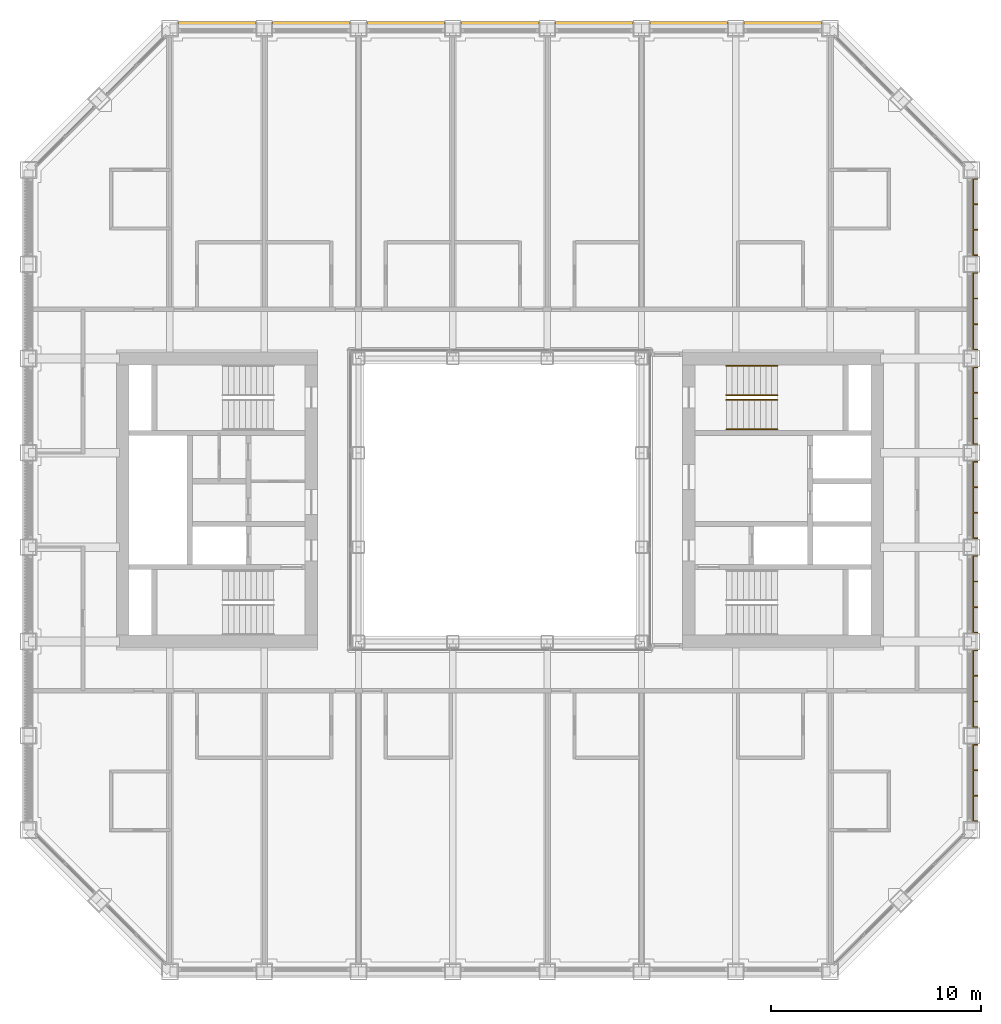
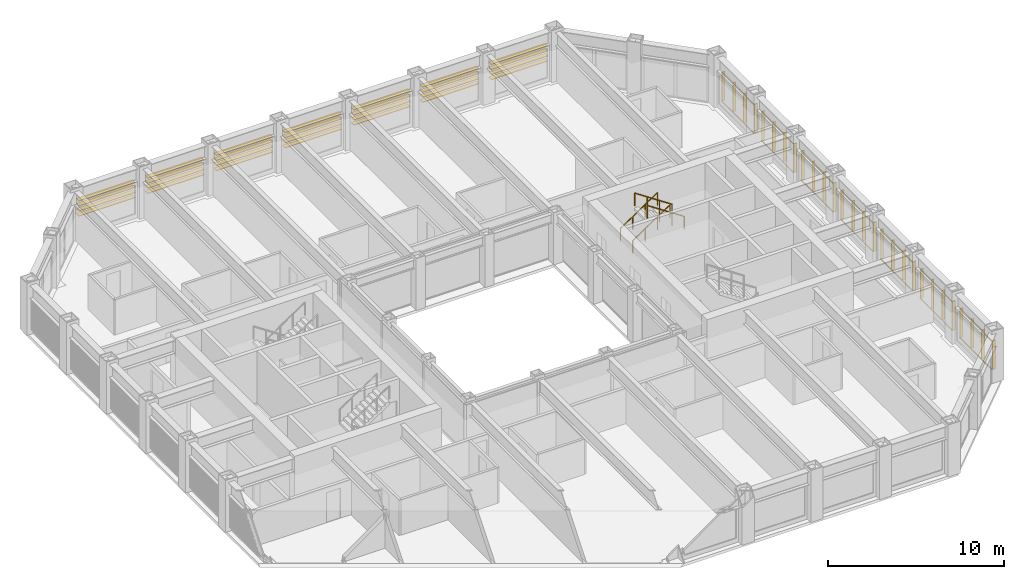
# One storey, part 17 of 17: 4 railings, 2 shading devices.
"""IFC4 building model written with IfcOpenShell, lengths in metres."""

from ifc_helpers import new_model, si_unit, direction, frame, origin, origin_2d, place, context, subcontext, project, spatial, rectangle, circle, extrude, material, type_object, element, save


model = new_model("IFC4")

# Units and contexts
model_context = context("Model", 3, precision=1e-05, world=origin(), true_north=direction((0.0, 1.0)))
body_context = subcontext(model_context, "Body", "Model", "MODEL_VIEW")
ifc_project = project(units=[si_unit("LENGTHUNIT", "METRE"), si_unit("AREAUNIT", "SQUARE_METRE"), si_unit("VOLUMEUNIT", "CUBIC_METRE"), si_unit("PLANEANGLEUNIT", "RADIAN"), si_unit("MASSUNIT", "GRAM", prefix="KILO")], contexts=[model_context])

# Site, building, storey
site_placement = place(None, origin())
site = spatial("IfcSite", under=ifc_project, at=site_placement, CompositionType="ELEMENT")
building_placement = place(site_placement, origin())
building = spatial("IfcBuilding", under=site, at=building_placement, Name="Msasa Ring Tower", CompositionType="ELEMENT")
storey_placement = place(building_placement, frame((0.0, 0.0, 140.0)))
storey = spatial("IfcBuildingStorey", under=building, at=storey_placement, Name="L36", CompositionType="ELEMENT", Elevation=140.0)

# Shading device
ifc_material_1 = material(Name="Extruded terracotta on aluminium carriers", Category="masonry")
shading_device_type_1 = type_object("IfcShadingDeviceType", Name="BS2 TERRACOTTA FIN SCREEN 40x200 AT 1350", PredefinedType="USERDEFINED", material=ifc_material_1)
shading_device_1_placement = place(storey_placement, origin())
element("IfcShadingDevice", 1, at=shading_device_1_placement, inside=storey, type_object=shading_device_type_1, Name="Terracotta fin screen E L36", ObjectType="BAGUETTE", PredefinedType="USERDEFINED", context=body_context, shape_type="SweptSolid", body=[
    extrude(rectangle(XDim=0.06005859375, YDim=0.0400390625, at=origin_2d()), frame((22.580078125, -15.35009765625, 0.330078125), z_axis=(0.0, 1.0, 0.0), x_axis=(0.0, 0.0, 1.0)), (0.0, 0.0, 1.0), 3.699951171875),
    extrude(rectangle(XDim=0.06005859375, YDim=0.0400390625, at=origin_2d()), frame((22.580078125, -15.35009765625, 2.299072265625), z_axis=(0.0, 1.0, 0.0), x_axis=(0.0, 0.0, 1.0)), (0.0, 0.0, 1.0), 3.699951171875),
    extrude(rectangle(XDim=0.0400390625, YDim=0.199951171875, at=origin_2d()), frame((22.695068359375, -15.330078125, 0.300048828125), z_axis=(0.0, 0.0, 1.0), x_axis=(0.0, 1.0, 0.0)), (0.0, 0.0, 1.0), 2.029052734375),
    extrude(rectangle(XDim=0.0400390625, YDim=0.199951171875, at=origin_2d()), frame((22.695068359375, -14.110107421875, 0.300048828125), z_axis=(0.0, 0.0, 1.0), x_axis=(0.0, 1.0, 0.0)), (0.0, 0.0, 1.0), 2.029052734375),
    extrude(rectangle(XDim=0.0400390625, YDim=0.199951171875, at=origin_2d()), frame((22.695068359375, -12.889892578125, 0.300048828125), z_axis=(0.0, 0.0, 1.0), x_axis=(0.0, 1.0, 0.0)), (0.0, 0.0, 1.0), 2.029052734375),
    extrude(rectangle(XDim=0.0400390625, YDim=0.199951171875, at=origin_2d()), frame((22.695068359375, -11.669921875, 0.300048828125), z_axis=(0.0, 0.0, 1.0), x_axis=(0.0, 1.0, 0.0)), (0.0, 0.0, 1.0), 2.029052734375),
    extrude(rectangle(XDim=0.06005859375, YDim=0.0400390625, at=origin_2d()), frame((22.580078125, -10.85009765625, 0.330078125), z_axis=(0.0, 1.0, 0.0), x_axis=(0.0, 0.0, 1.0)), (0.0, 0.0, 1.0), 3.699951171875),
    extrude(rectangle(XDim=0.06005859375, YDim=0.0400390625, at=origin_2d()), frame((22.580078125, -10.85009765625, 2.299072265625), z_axis=(0.0, 1.0, 0.0), x_axis=(0.0, 0.0, 1.0)), (0.0, 0.0, 1.0), 3.699951171875),
    extrude(rectangle(XDim=0.0400390625, YDim=0.199951171875, at=origin_2d()), frame((22.695068359375, -10.830078125, 0.300048828125), z_axis=(0.0, 0.0, 1.0), x_axis=(0.0, 1.0, 0.0)), (0.0, 0.0, 1.0), 2.029052734375),
    extrude(rectangle(XDim=0.0400390625, YDim=0.199951171875, at=origin_2d()), frame((22.695068359375, -9.610107421875, 0.300048828125), z_axis=(0.0, 0.0, 1.0), x_axis=(0.0, 1.0, 0.0)), (0.0, 0.0, 1.0), 2.029052734375),
    extrude(rectangle(XDim=0.0400390625, YDim=0.199951171875, at=origin_2d()), frame((22.695068359375, -8.389892578125, 0.300048828125), z_axis=(0.0, 0.0, 1.0), x_axis=(0.0, 1.0, 0.0)), (0.0, 0.0, 1.0), 2.029052734375),
    extrude(rectangle(XDim=0.0400390625, YDim=0.199951171875, at=origin_2d()), frame((22.695068359375, -7.169921875, 0.300048828125), z_axis=(0.0, 0.0, 1.0), x_axis=(0.0, 1.0, 0.0)), (0.0, 0.0, 1.0), 2.029052734375),
    extrude(rectangle(XDim=0.06005859375, YDim=0.0400390625, at=origin_2d()), frame((22.580078125, -6.35009765625, 0.330078125), z_axis=(0.0, 1.0, 0.0), x_axis=(0.0, 0.0, 1.0)), (0.0, 0.0, 1.0), 3.699951171875),
    extrude(rectangle(XDim=0.06005859375, YDim=0.0400390625, at=origin_2d()), frame((22.580078125, -6.35009765625, 2.299072265625), z_axis=(0.0, 1.0, 0.0), x_axis=(0.0, 0.0, 1.0)), (0.0, 0.0, 1.0), 3.699951171875),
    extrude(rectangle(XDim=0.0400390625, YDim=0.199951171875, at=origin_2d()), frame((22.695068359375, -6.330078125, 0.300048828125), z_axis=(0.0, 0.0, 1.0), x_axis=(0.0, 1.0, 0.0)), (0.0, 0.0, 1.0), 2.029052734375),
    extrude(rectangle(XDim=0.0400390625, YDim=0.199951171875, at=origin_2d()), frame((22.695068359375, -5.110107421875, 0.300048828125), z_axis=(0.0, 0.0, 1.0), x_axis=(0.0, 1.0, 0.0)), (0.0, 0.0, 1.0), 2.029052734375),
    extrude(rectangle(XDim=0.0400390625, YDim=0.199951171875, at=origin_2d()), frame((22.695068359375, -3.889892578125, 0.300048828125), z_axis=(0.0, 0.0, 1.0), x_axis=(0.0, 1.0, 0.0)), (0.0, 0.0, 1.0), 2.029052734375),
    extrude(rectangle(XDim=0.0400390625, YDim=0.199951171875, at=origin_2d()), frame((22.695068359375, -2.669921875, 0.300048828125), z_axis=(0.0, 0.0, 1.0), x_axis=(0.0, 1.0, 0.0)), (0.0, 0.0, 1.0), 2.029052734375),
    extrude(rectangle(XDim=0.06005859375, YDim=0.0400390625, at=origin_2d()), frame((22.580078125, -1.85009765625, 0.330078125), z_axis=(0.0, 1.0, 0.0), x_axis=(0.0, 0.0, 1.0)), (0.0, 0.0, 1.0), 3.699951171875),
    extrude(rectangle(XDim=0.06005859375, YDim=0.0400390625, at=origin_2d()), frame((22.580078125, -1.85009765625, 2.299072265625), z_axis=(0.0, 1.0, 0.0), x_axis=(0.0, 0.0, 1.0)), (0.0, 0.0, 1.0), 3.699951171875),
    extrude(rectangle(XDim=0.0400390625, YDim=0.199951171875, at=origin_2d()), frame((22.695068359375, -1.830078125, 0.300048828125), z_axis=(0.0, 0.0, 1.0), x_axis=(0.0, 1.0, 0.0)), (0.0, 0.0, 1.0), 2.029052734375),
    extrude(rectangle(XDim=0.0400390625, YDim=0.199951171875, at=origin_2d()), frame((22.695068359375, -0.610107421875, 0.300048828125), z_axis=(0.0, 0.0, 1.0), x_axis=(0.0, 1.0, 0.0)), (0.0, 0.0, 1.0), 2.029052734375),
    extrude(rectangle(XDim=0.0400390625, YDim=0.199951171875, at=origin_2d()), frame((22.695068359375, 0.610107421875, 0.300048828125), z_axis=(0.0, 0.0, 1.0), x_axis=(0.0, 1.0, 0.0)), (0.0, 0.0, 1.0), 2.029052734375),
    extrude(rectangle(XDim=0.0400390625, YDim=0.199951171875, at=origin_2d()), frame((22.695068359375, 1.830078125, 0.300048828125), z_axis=(0.0, 0.0, 1.0), x_axis=(0.0, 1.0, 0.0)), (0.0, 0.0, 1.0), 2.029052734375),
    extrude(rectangle(XDim=0.06005859375, YDim=0.0400390625, at=origin_2d()), frame((22.580078125, 2.64990234375, 0.330078125), z_axis=(0.0, 1.0, 0.0), x_axis=(0.0, 0.0, 1.0)), (0.0, 0.0, 1.0), 3.699951171875),
    extrude(rectangle(XDim=0.06005859375, YDim=0.0400390625, at=origin_2d()), frame((22.580078125, 2.64990234375, 2.299072265625), z_axis=(0.0, 1.0, 0.0), x_axis=(0.0, 0.0, 1.0)), (0.0, 0.0, 1.0), 3.699951171875),
    extrude(rectangle(XDim=0.0400390625, YDim=0.199951171875, at=origin_2d()), frame((22.695068359375, 2.669921875, 0.300048828125), z_axis=(0.0, 0.0, 1.0), x_axis=(0.0, 1.0, 0.0)), (0.0, 0.0, 1.0), 2.029052734375),
    extrude(rectangle(XDim=0.0400390625, YDim=0.199951171875, at=origin_2d()), frame((22.695068359375, 3.889892578125, 0.300048828125), z_axis=(0.0, 0.0, 1.0), x_axis=(0.0, 1.0, 0.0)), (0.0, 0.0, 1.0), 2.029052734375),
    extrude(rectangle(XDim=0.0400390625, YDim=0.199951171875, at=origin_2d()), frame((22.695068359375, 5.110107421875, 0.300048828125), z_axis=(0.0, 0.0, 1.0), x_axis=(0.0, 1.0, 0.0)), (0.0, 0.0, 1.0), 2.029052734375),
    extrude(rectangle(XDim=0.0400390625, YDim=0.199951171875, at=origin_2d()), frame((22.695068359375, 6.330078125, 0.300048828125), z_axis=(0.0, 0.0, 1.0), x_axis=(0.0, 1.0, 0.0)), (0.0, 0.0, 1.0), 2.029052734375),
    extrude(rectangle(XDim=0.06005859375, YDim=0.0400390625, at=origin_2d()), frame((22.580078125, 7.14990234375, 0.330078125), z_axis=(0.0, 1.0, 0.0), x_axis=(0.0, 0.0, 1.0)), (0.0, 0.0, 1.0), 3.699951171875),
    extrude(rectangle(XDim=0.06005859375, YDim=0.0400390625, at=origin_2d()), frame((22.580078125, 7.14990234375, 2.299072265625), z_axis=(0.0, 1.0, 0.0), x_axis=(0.0, 0.0, 1.0)), (0.0, 0.0, 1.0), 3.699951171875),
    extrude(rectangle(XDim=0.0400390625, YDim=0.199951171875, at=origin_2d()), frame((22.695068359375, 7.169921875, 0.300048828125), z_axis=(0.0, 0.0, 1.0), x_axis=(0.0, 1.0, 0.0)), (0.0, 0.0, 1.0), 2.029052734375),
    extrude(rectangle(XDim=0.0400390625, YDim=0.199951171875, at=origin_2d()), frame((22.695068359375, 8.389892578125, 0.300048828125), z_axis=(0.0, 0.0, 1.0), x_axis=(0.0, 1.0, 0.0)), (0.0, 0.0, 1.0), 2.029052734375),
    extrude(rectangle(XDim=0.0400390625, YDim=0.199951171875, at=origin_2d()), frame((22.695068359375, 9.610107421875, 0.300048828125), z_axis=(0.0, 0.0, 1.0), x_axis=(0.0, 1.0, 0.0)), (0.0, 0.0, 1.0), 2.029052734375),
    extrude(rectangle(XDim=0.0400390625, YDim=0.199951171875, at=origin_2d()), frame((22.695068359375, 10.830078125, 0.300048828125), z_axis=(0.0, 0.0, 1.0), x_axis=(0.0, 1.0, 0.0)), (0.0, 0.0, 1.0), 2.029052734375),
    extrude(rectangle(XDim=0.06005859375, YDim=0.0400390625, at=origin_2d()), frame((22.580078125, 11.64990234375, 0.330078125), z_axis=(0.0, 1.0, 0.0), x_axis=(0.0, 0.0, 1.0)), (0.0, 0.0, 1.0), 3.699951171875),
    extrude(rectangle(XDim=0.06005859375, YDim=0.0400390625, at=origin_2d()), frame((22.580078125, 11.64990234375, 2.299072265625), z_axis=(0.0, 1.0, 0.0), x_axis=(0.0, 0.0, 1.0)), (0.0, 0.0, 1.0), 3.699951171875),
    extrude(rectangle(XDim=0.0400390625, YDim=0.199951171875, at=origin_2d()), frame((22.695068359375, 11.669921875, 0.300048828125), z_axis=(0.0, 0.0, 1.0), x_axis=(0.0, 1.0, 0.0)), (0.0, 0.0, 1.0), 2.029052734375),
    extrude(rectangle(XDim=0.0400390625, YDim=0.199951171875, at=origin_2d()), frame((22.695068359375, 12.889892578125, 0.300048828125), z_axis=(0.0, 0.0, 1.0), x_axis=(0.0, 1.0, 0.0)), (0.0, 0.0, 1.0), 2.029052734375),
    extrude(rectangle(XDim=0.0400390625, YDim=0.199951171875, at=origin_2d()), frame((22.695068359375, 14.110107421875, 0.300048828125), z_axis=(0.0, 0.0, 1.0), x_axis=(0.0, 1.0, 0.0)), (0.0, 0.0, 1.0), 2.029052734375),
    extrude(rectangle(XDim=0.0400390625, YDim=0.199951171875, at=origin_2d()), frame((22.695068359375, 15.330078125, 0.300048828125), z_axis=(0.0, 0.0, 1.0), x_axis=(0.0, 1.0, 0.0)), (0.0, 0.0, 1.0), 2.029052734375),
])

# Railings
ifc_material_2 = material(Name="Stainless steel", Category="steel")
railing_type = type_object("IfcRailingType", Name="HR1 HANDRAIL 900", PredefinedType="HANDRAIL", material=ifc_material_2)
for number, where, name in (
    (2, (10.800048828125, 5.0, 0.179931640625), "Handrail stair SEB L36 1"),
    (3, (10.800048828125, 6.39990234375, 0.179931640625), "Handrail stair SEB L36 2"),
):
    element("IfcRailing", number, at=place(storey_placement, frame(where)), inside=storey, type_object=railing_type, Name=name, PredefinedType="HANDRAIL", context=body_context, shape_type="SweptSolid", body=[
        extrude(circle(Radius=0.02392578125, at=origin_2d()), frame((0.0, 0.0, 0.8759765625), z_axis=(0.832024571796, 0.0, 0.554738778101), x_axis=(0.0, 1.0, 0.0)), (0.0, 0.0, 1.0), 2.92041015625),
        extrude(circle(Radius=0.02099609375, at=origin_2d()), origin(), (0.0, 0.0, 1.0), 0.851806640625),
        extrude(circle(Radius=0.02099609375, at=origin_2d()), frame((0.81005859375, 0.0, 0.5400390625)), (0.0, 0.0, 1.0), 0.851806640625),
        extrude(circle(Radius=0.02099609375, at=origin_2d()), frame((1.619873046875, 0.0, 1.080078125)), (0.0, 0.0, 1.0), 0.851806640625),
        extrude(circle(Radius=0.02099609375, at=origin_2d()), frame((2.429931640625, 0.0, 1.6201171875)), (0.0, 0.0, 1.0), 0.851806640625),
    ])
for number, where, name in (
    (4, (13.22998046875, 3.375, 1.97998046875), "Handrail stair SEB L36 3"),
    (5, (13.22998046875, 4.77490234375, 1.97998046875), "Handrail stair SEB L36 4"),
):
    element("IfcRailing", number, at=place(storey_placement, frame(where)), inside=storey, type_object=railing_type, Name=name, PredefinedType="HANDRAIL", context=body_context, shape_type="SweptSolid", body=[
        extrude(circle(Radius=0.02392578125, at=origin_2d()), frame((0.0, 0.0, 0.8759765625), z_axis=(-0.832024571796, 0.0, 0.554738778101), x_axis=(0.0, -1.0, 0.0)), (0.0, 0.0, 1.0), 2.92041015625),
        extrude(circle(Radius=0.02099609375, at=origin_2d()), origin(), (0.0, 0.0, 1.0), 0.851806640625),
        extrude(circle(Radius=0.02099609375, at=origin_2d()), frame((-0.81005859375, 0.0, 0.5400390625)), (0.0, 0.0, 1.0), 0.851806640625),
        extrude(circle(Radius=0.02099609375, at=origin_2d()), frame((-1.619873046875, 0.0, 1.080078125)), (0.0, 0.0, 1.0), 0.851806640625),
        extrude(circle(Radius=0.02099609375, at=origin_2d()), frame((-2.429931640625, 0.0, 1.6201171875)), (0.0, 0.0, 1.0), 0.851806640625),
    ])

# Shading device
ifc_material_3 = material(Name="Extruded terracotta blades", Category="masonry")
shading_device_type_2 = type_object("IfcShadingDeviceType", Name="SS1 TERRACOTTA SUNSHADE 4 BLADES 300x40 AT 350", PredefinedType="USERDEFINED", material=ifc_material_3)
shading_device_2_placement = place(storey_placement, origin())
element("IfcShadingDevice", 6, at=shading_device_2_placement, inside=storey, type_object=shading_device_type_2, Name="Terracotta sunshade N L36", ObjectType="SUNSHADE", PredefinedType="USERDEFINED", context=body_context, shape_type="SweptSolid", body=[
    extrude(rectangle(XDim=0.0400390625, YDim=0.300048828125, at=origin_2d()), frame((-15.35009765625, 22.679931640625, 2.30908203125), z_axis=(1.0, 0.0, 0.0), x_axis=(0.0, 0.0, 1.0)), (0.0, 0.0, 1.0), 3.699951171875),
    extrude(rectangle(XDim=0.0400390625, YDim=0.300048828125, at=origin_2d()), frame((-15.35009765625, 22.679931640625, 1.958984375), z_axis=(1.0, 0.0, 0.0), x_axis=(0.0, 0.0, 1.0)), (0.0, 0.0, 1.0), 3.699951171875),
    extrude(rectangle(XDim=0.0400390625, YDim=0.300048828125, at=origin_2d()), frame((-15.35009765625, 22.679931640625, 1.60888671875), z_axis=(1.0, 0.0, 0.0), x_axis=(0.0, 0.0, 1.0)), (0.0, 0.0, 1.0), 3.699951171875),
    extrude(rectangle(XDim=0.0400390625, YDim=0.300048828125, at=origin_2d()), frame((-15.35009765625, 22.679931640625, 1.259033203125), z_axis=(1.0, 0.0, 0.0), x_axis=(0.0, 0.0, 1.0)), (0.0, 0.0, 1.0), 3.699951171875),
    extrude(rectangle(XDim=0.0400390625, YDim=0.300048828125, at=origin_2d()), frame((-10.85009765625, 22.679931640625, 2.30908203125), z_axis=(1.0, 0.0, 0.0), x_axis=(0.0, 0.0, 1.0)), (0.0, 0.0, 1.0), 3.699951171875),
    extrude(rectangle(XDim=0.0400390625, YDim=0.300048828125, at=origin_2d()), frame((-10.85009765625, 22.679931640625, 1.958984375), z_axis=(1.0, 0.0, 0.0), x_axis=(0.0, 0.0, 1.0)), (0.0, 0.0, 1.0), 3.699951171875),
    extrude(rectangle(XDim=0.0400390625, YDim=0.300048828125, at=origin_2d()), frame((-10.85009765625, 22.679931640625, 1.60888671875), z_axis=(1.0, 0.0, 0.0), x_axis=(0.0, 0.0, 1.0)), (0.0, 0.0, 1.0), 3.699951171875),
    extrude(rectangle(XDim=0.0400390625, YDim=0.300048828125, at=origin_2d()), frame((-10.85009765625, 22.679931640625, 1.259033203125), z_axis=(1.0, 0.0, 0.0), x_axis=(0.0, 0.0, 1.0)), (0.0, 0.0, 1.0), 3.699951171875),
    extrude(rectangle(XDim=0.0400390625, YDim=0.300048828125, at=origin_2d()), frame((-6.35009765625, 22.679931640625, 2.30908203125), z_axis=(1.0, 0.0, 0.0), x_axis=(0.0, 0.0, 1.0)), (0.0, 0.0, 1.0), 3.699951171875),
    extrude(rectangle(XDim=0.0400390625, YDim=0.300048828125, at=origin_2d()), frame((-6.35009765625, 22.679931640625, 1.958984375), z_axis=(1.0, 0.0, 0.0), x_axis=(0.0, 0.0, 1.0)), (0.0, 0.0, 1.0), 3.699951171875),
    extrude(rectangle(XDim=0.0400390625, YDim=0.300048828125, at=origin_2d()), frame((-6.35009765625, 22.679931640625, 1.60888671875), z_axis=(1.0, 0.0, 0.0), x_axis=(0.0, 0.0, 1.0)), (0.0, 0.0, 1.0), 3.699951171875),
    extrude(rectangle(XDim=0.0400390625, YDim=0.300048828125, at=origin_2d()), frame((-6.35009765625, 22.679931640625, 1.259033203125), z_axis=(1.0, 0.0, 0.0), x_axis=(0.0, 0.0, 1.0)), (0.0, 0.0, 1.0), 3.699951171875),
    extrude(rectangle(XDim=0.0400390625, YDim=0.300048828125, at=origin_2d()), frame((-1.85009765625, 22.679931640625, 2.30908203125), z_axis=(1.0, 0.0, 0.0), x_axis=(0.0, 0.0, 1.0)), (0.0, 0.0, 1.0), 3.699951171875),
    extrude(rectangle(XDim=0.0400390625, YDim=0.300048828125, at=origin_2d()), frame((-1.85009765625, 22.679931640625, 1.958984375), z_axis=(1.0, 0.0, 0.0), x_axis=(0.0, 0.0, 1.0)), (0.0, 0.0, 1.0), 3.699951171875),
    extrude(rectangle(XDim=0.0400390625, YDim=0.300048828125, at=origin_2d()), frame((-1.85009765625, 22.679931640625, 1.60888671875), z_axis=(1.0, 0.0, 0.0), x_axis=(0.0, 0.0, 1.0)), (0.0, 0.0, 1.0), 3.699951171875),
    extrude(rectangle(XDim=0.0400390625, YDim=0.300048828125, at=origin_2d()), frame((-1.85009765625, 22.679931640625, 1.259033203125), z_axis=(1.0, 0.0, 0.0), x_axis=(0.0, 0.0, 1.0)), (0.0, 0.0, 1.0), 3.699951171875),
    extrude(rectangle(XDim=0.0400390625, YDim=0.300048828125, at=origin_2d()), frame((2.64990234375, 22.679931640625, 2.30908203125), z_axis=(1.0, 0.0, 0.0), x_axis=(0.0, 0.0, 1.0)), (0.0, 0.0, 1.0), 3.699951171875),
    extrude(rectangle(XDim=0.0400390625, YDim=0.300048828125, at=origin_2d()), frame((2.64990234375, 22.679931640625, 1.958984375), z_axis=(1.0, 0.0, 0.0), x_axis=(0.0, 0.0, 1.0)), (0.0, 0.0, 1.0), 3.699951171875),
    extrude(rectangle(XDim=0.0400390625, YDim=0.300048828125, at=origin_2d()), frame((2.64990234375, 22.679931640625, 1.60888671875), z_axis=(1.0, 0.0, 0.0), x_axis=(0.0, 0.0, 1.0)), (0.0, 0.0, 1.0), 3.699951171875),
    extrude(rectangle(XDim=0.0400390625, YDim=0.300048828125, at=origin_2d()), frame((2.64990234375, 22.679931640625, 1.259033203125), z_axis=(1.0, 0.0, 0.0), x_axis=(0.0, 0.0, 1.0)), (0.0, 0.0, 1.0), 3.699951171875),
    extrude(rectangle(XDim=0.0400390625, YDim=0.300048828125, at=origin_2d()), frame((7.14990234375, 22.679931640625, 2.30908203125), z_axis=(1.0, 0.0, 0.0), x_axis=(0.0, 0.0, 1.0)), (0.0, 0.0, 1.0), 3.699951171875),
    extrude(rectangle(XDim=0.0400390625, YDim=0.300048828125, at=origin_2d()), frame((7.14990234375, 22.679931640625, 1.958984375), z_axis=(1.0, 0.0, 0.0), x_axis=(0.0, 0.0, 1.0)), (0.0, 0.0, 1.0), 3.699951171875),
    extrude(rectangle(XDim=0.0400390625, YDim=0.300048828125, at=origin_2d()), frame((7.14990234375, 22.679931640625, 1.60888671875), z_axis=(1.0, 0.0, 0.0), x_axis=(0.0, 0.0, 1.0)), (0.0, 0.0, 1.0), 3.699951171875),
    extrude(rectangle(XDim=0.0400390625, YDim=0.300048828125, at=origin_2d()), frame((7.14990234375, 22.679931640625, 1.259033203125), z_axis=(1.0, 0.0, 0.0), x_axis=(0.0, 0.0, 1.0)), (0.0, 0.0, 1.0), 3.699951171875),
    extrude(rectangle(XDim=0.0400390625, YDim=0.300048828125, at=origin_2d()), frame((11.64990234375, 22.679931640625, 2.30908203125), z_axis=(1.0, 0.0, 0.0), x_axis=(0.0, 0.0, 1.0)), (0.0, 0.0, 1.0), 3.699951171875),
    extrude(rectangle(XDim=0.0400390625, YDim=0.300048828125, at=origin_2d()), frame((11.64990234375, 22.679931640625, 1.958984375), z_axis=(1.0, 0.0, 0.0), x_axis=(0.0, 0.0, 1.0)), (0.0, 0.0, 1.0), 3.699951171875),
    extrude(rectangle(XDim=0.0400390625, YDim=0.300048828125, at=origin_2d()), frame((11.64990234375, 22.679931640625, 1.60888671875), z_axis=(1.0, 0.0, 0.0), x_axis=(0.0, 0.0, 1.0)), (0.0, 0.0, 1.0), 3.699951171875),
    extrude(rectangle(XDim=0.0400390625, YDim=0.300048828125, at=origin_2d()), frame((11.64990234375, 22.679931640625, 1.259033203125), z_axis=(1.0, 0.0, 0.0), x_axis=(0.0, 0.0, 1.0)), (0.0, 0.0, 1.0), 3.699951171875),
])

save(model, "model.ifc")
